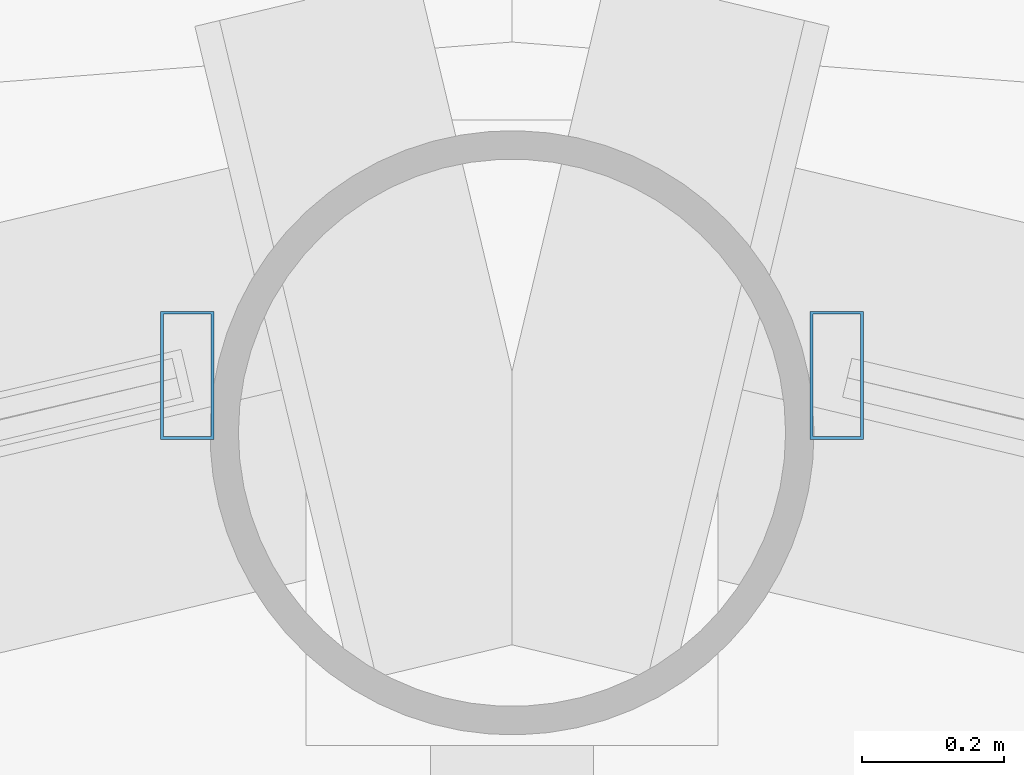
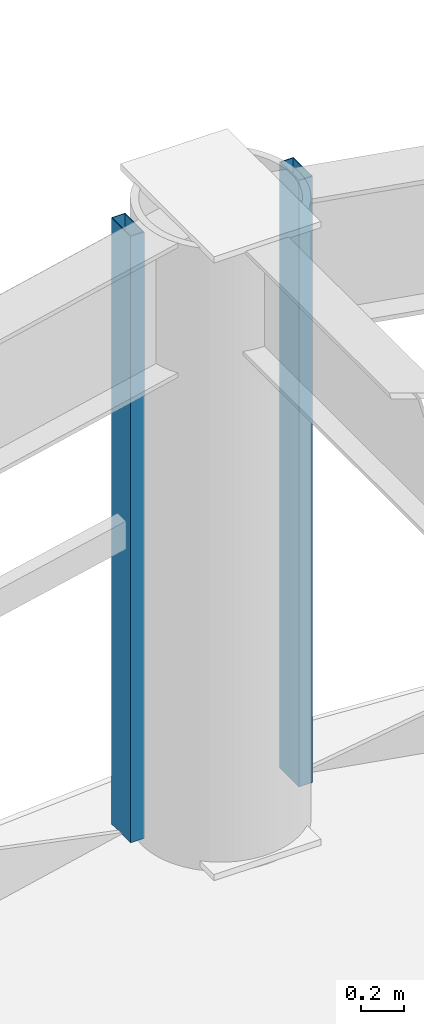
# One storey, part 19 of 31: 2 members, 2 elements without a shape of their own.
"""IFC4 building model written with IfcOpenShell, lengths in metres."""

from ifc_helpers import new_model, si_unit, direction, frame, origin, origin_2d, place, context, subcontext, project, spatial, hollow_rectangle, extrude, material, layer, layer_set, material_profile, profile_set, type_object, element, aggregate, save


model = new_model("IFC4")

# Units and contexts
model_context = context("Model", 3, precision=1e-05, world=origin(), true_north=direction((0.0, 1.0)))
body_context = subcontext(model_context, "Body", "Model", "MODEL_VIEW")
ifc_project = project(units=[si_unit("LENGTHUNIT", "METRE"), si_unit("AREAUNIT", "SQUARE_METRE"), si_unit("VOLUMEUNIT", "CUBIC_METRE"), si_unit("PLANEANGLEUNIT", "RADIAN"), si_unit("MASSUNIT", "GRAM", prefix="KILO")], contexts=[model_context])

# Site, building, storey
site_placement = place(None, origin())
site = spatial("IfcSite", under=ifc_project, at=site_placement, CompositionType="ELEMENT")
building_placement = place(site_placement, origin())
building = spatial("IfcBuilding", under=site, at=building_placement, Name="Vantalir Tower", CompositionType="ELEMENT")
storey_placement = place(building_placement, frame((0.0, 0.0, 42.0)))
storey = spatial("IfcBuildingStorey", under=building, at=storey_placement, Name="L09", CompositionType="ELEMENT", Elevation=42.0)

# Curtain wall, member
ifc_material_1 = material(Name="Champagne-silver PVDF aluminium and double-silver Low-E glass", Category="aluminium")
ifc_layer = layer(ifc_material_1, 0.18994140625)
ifc_layer_set = layer_set([ifc_layer], Name="Champagne-silver PVDF aluminium and double-silver Low-E glass")
curtain_wall_type = type_object("IfcCurtainWallType", Name="CW-DIAMOND-Z1", PredefinedType="USERDEFINED", material=ifc_layer_set)
curtain_wall_1_placement = place(storey_placement, origin())
curtain_wall_1 = element("IfcCurtainWall", 1, at=curtain_wall_1_placement, inside=storey, type_object=curtain_wall_type, Name="L09 Quilted Pyramid-Diamond Curtain Wall S03", ObjectType="UNITISED CURTAIN WALL", PredefinedType="USERDEFINED")
ifc_material_2 = material(Name="Champagne-silver PVDF aluminium 6063-T6", Category="aluminium")
ifc_material_profile = material_profile(ifc_material_2, hollow_rectangle(XDim=0.074951171875, YDim=0.179931640625, WallThickness=0.00390625, at=origin_2d()), Name="Champagne-silver PVDF aluminium 6063-T6")
ifc_profile_set = profile_set([ifc_material_profile], Name="Champagne-silver PVDF aluminium 6063-T6")
member_type = type_object("IfcMemberType", Name="CWM-180x75", PredefinedType="MULLION", material=ifc_profile_set)
member_1_placement = place(storey_placement, frame((31.95703125, 48.806884765625, 0.044921875), z_axis=(0.0, 0.0, 1.0), x_axis=(1.0, 0.0, 0.0)))
member_1 = element("IfcMember", 2, at=member_1_placement, type_object=member_type, Name="CW-L09-S03 Mullion 2", PredefinedType="MULLION", context=body_context, shape_type="SweptSolid", body=[
    extrude(hollow_rectangle(XDim=0.074951171875, YDim=0.179931640625, WallThickness=0.00390625, at=origin_2d()), origin(), (0.0, 0.0, 1.0), 3.47998046875),
])
aggregate(curtain_wall_1, [member_1])

curtain_wall_2_placement = place(storey_placement, origin())
curtain_wall_2 = element("IfcCurtainWall", 3, at=curtain_wall_2_placement, inside=storey, type_object=curtain_wall_type, Name="L09 Quilted Pyramid-Diamond Curtain Wall S04", ObjectType="UNITISED CURTAIN WALL", PredefinedType="USERDEFINED")
member_2_placement = place(storey_placement, frame((31.04296875, 48.806884765625, 0.044921875), z_axis=(0.0, 0.0, 1.0), x_axis=(1.0, 0.0, 0.0)))
member_2 = element("IfcMember", 4, at=member_2_placement, type_object=member_type, Name="CW-L09-S04 Mullion 1", PredefinedType="MULLION", context=body_context, shape_type="SweptSolid", body=[
    extrude(hollow_rectangle(XDim=0.074951171875, YDim=0.179931640625, WallThickness=0.00390625, at=origin_2d()), origin(), (0.0, 0.0, 1.0), 3.47998046875),
])
aggregate(curtain_wall_2, [member_2])

save(model, "model.ifc")
